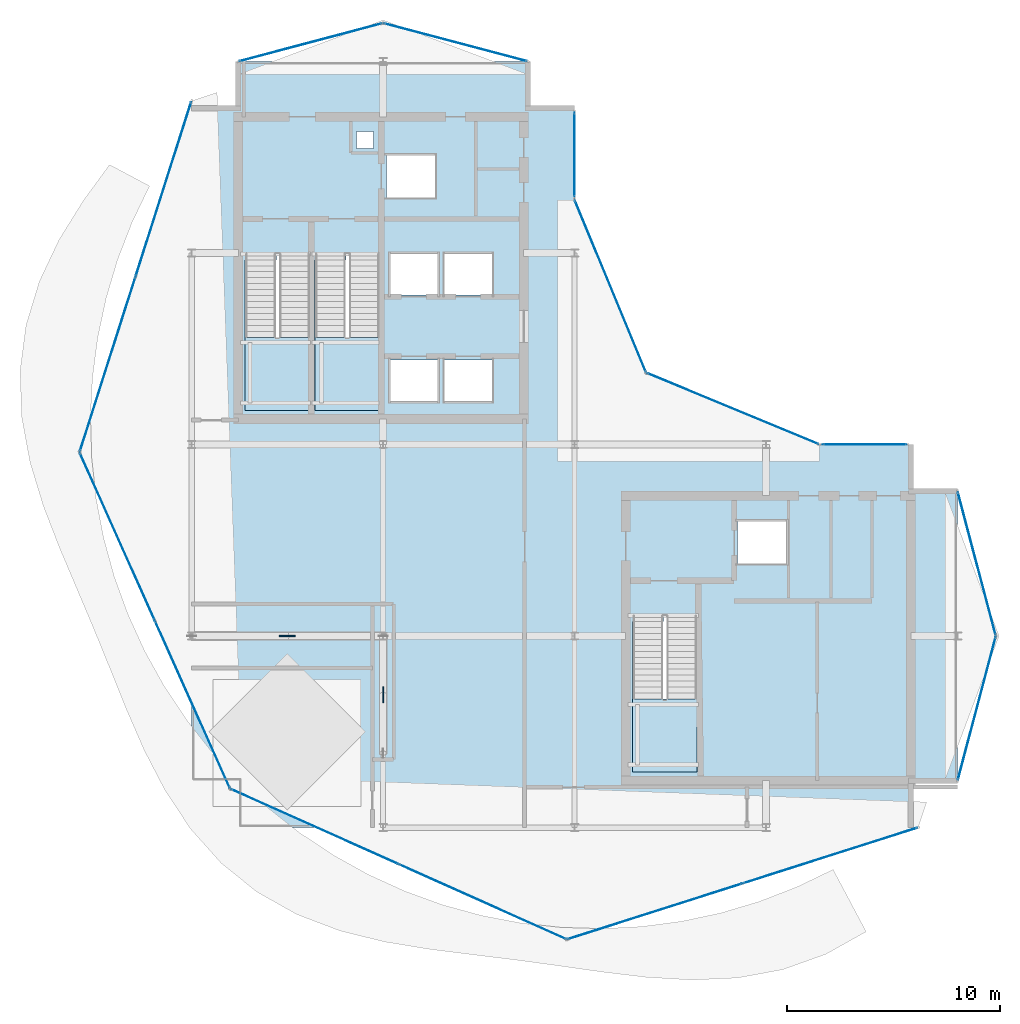
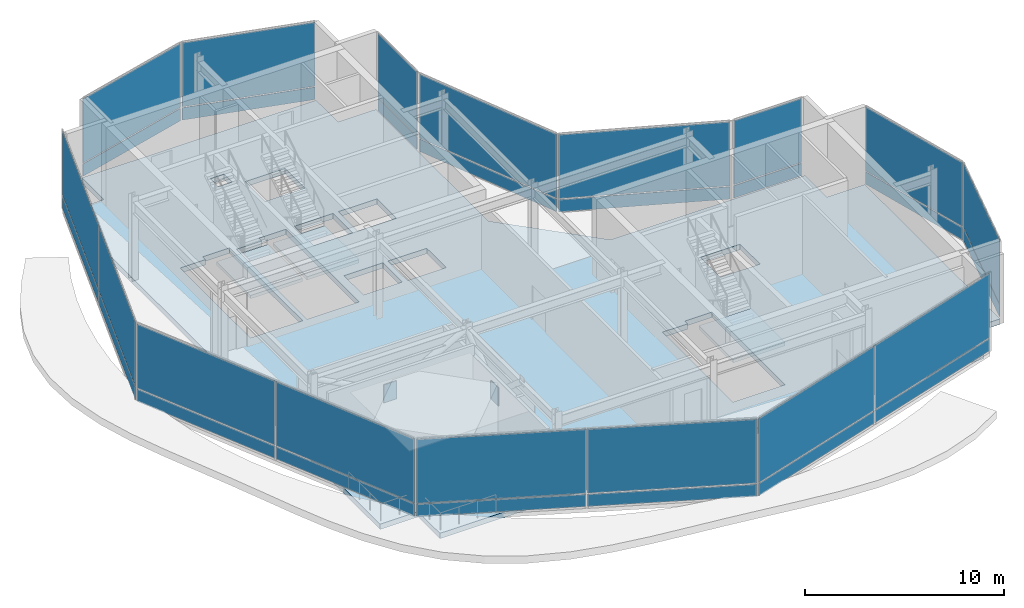
# One storey, part 15 of 21: 34 plates, 4 slabs, 15 elements without a shape of their own.
"""IFC4 building model written with IfcOpenShell, lengths in metres."""

from ifc_helpers import new_model, si_unit, direction, frame, origin, origin_2d, place, context, subcontext, project, spatial, polyline, rectangle, outline, extrude, material, layer, layer_set, type_object, element, aggregate, save


model = new_model("IFC4")

# Units and contexts
model_context = context("Model", 3, precision=1e-05, world=origin(), true_north=direction((0.0, 1.0)))
body_context = subcontext(model_context, "Body", "Model", "MODEL_VIEW")
ifc_project = project(units=[si_unit("LENGTHUNIT", "METRE"), si_unit("AREAUNIT", "SQUARE_METRE"), si_unit("VOLUMEUNIT", "CUBIC_METRE"), si_unit("PLANEANGLEUNIT", "RADIAN"), si_unit("MASSUNIT", "GRAM", prefix="KILO")], contexts=[model_context])

# Site, building, storey
site_placement = place(None, origin())
site = spatial("IfcSite", under=ifc_project, at=site_placement, CompositionType="ELEMENT")
building_placement = place(site_placement, origin())
building = spatial("IfcBuilding", under=site, at=building_placement, Name="Solvaryn Broadcast Tower", CompositionType="ELEMENT")
storey_placement = place(building_placement, frame((0.0, 0.0, 297.39990234375)))
storey = spatial("IfcBuildingStorey", under=building, at=storey_placement, Name="L75", CompositionType="ELEMENT", Elevation=297.39990234375)

# Curtain wall, plates
ifc_material_1 = material(Name="Aluminium and Terracotta Unitised Curtain Wall", Category="masonry")
ifc_layer_1 = layer(ifc_material_1, 0.260009765625)
ifc_layer_set_1 = layer_set([ifc_layer_1], Name="CW-SYS5-DAMPER")
curtain_wall_type = type_object("IfcCurtainWallType", Name="CW-SYS5-DAMPER", PredefinedType="NOTDEFINED", material=ifc_layer_set_1)
curtain_wall_1_placement = place(storey_placement, origin())
curtain_wall_1 = element("IfcCurtainWall", 1, at=curtain_wall_1_placement, inside=storey, type_object=curtain_wall_type, Name="L75 Curtain Wall DR1", PredefinedType="NOTDEFINED")
ifc_material_2 = material(Name="Acoustic Laminated Luminous Clear Glass", Category="glass")
ifc_layer_2 = layer(ifc_material_2, 0.0419921875)
ifc_layer_set_2 = layer_set([ifc_layer_2], Name="CW-PNL-DAMPER")
plate_type_1 = type_object("IfcPlateType", Name="CW-PNL-DAMPER", PredefinedType="CURTAIN_PANEL", material=ifc_layer_set_2)
plate_1_placement = place(storey_placement, frame((7.679931640625, 39.00634765625, 0.06005859375), z_axis=(0.0, 0.0, 1.0), x_axis=(-0.30361564569, -0.952794594701, 0.0)))
plate_1 = element("IfcPlate", 2, at=plate_1_placement, type_object=plate_type_1, Name="CWS5 panel 1.1", PredefinedType="CURTAIN_PANEL", context=body_context, shape_type="SweptSolid", body=[
    extrude(rectangle(XDim=8.575439453125, YDim=0.028076171875, at=origin_2d()), origin(), (0.0, 0.0, 1.0), 0.760009765625),
])
plate_2_placement = place(storey_placement, frame((7.679931640625, 39.00634765625, 0.88037109375), z_axis=(0.0, 0.0, 1.0), x_axis=(-0.30361564569, -0.952794594701, 0.0)))
plate_2 = element("IfcPlate", 3, at=plate_2_placement, type_object=plate_type_1, Name="CWS5 panel 1.2", PredefinedType="CURTAIN_PANEL", context=body_context, shape_type="SweptSolid", body=[
    extrude(rectangle(XDim=8.575439453125, YDim=0.028076171875, at=origin_2d()), origin(), (0.0, 0.0, 1.0), 3.929931640625),
])
plate_3_placement = place(storey_placement, frame((5.05810546875, 30.778564453125, 0.06005859375), z_axis=(0.0, 0.0, 1.0), x_axis=(-0.30361564569, -0.952794594701, 0.0)))
plate_3 = element("IfcPlate", 4, at=plate_3_placement, type_object=plate_type_1, Name="CWS5 panel 2.1", PredefinedType="CURTAIN_PANEL", context=body_context, shape_type="SweptSolid", body=[
    extrude(rectangle(XDim=8.575439453125, YDim=0.028076171875, at=origin_2d()), origin(), (0.0, 0.0, 1.0), 0.760009765625),
])
plate_4_placement = place(storey_placement, frame((5.05810546875, 30.778564453125, 0.88037109375), z_axis=(0.0, 0.0, 1.0), x_axis=(-0.30361564569, -0.952794594701, 0.0)))
plate_4 = element("IfcPlate", 5, at=plate_4_placement, type_object=plate_type_1, Name="CWS5 panel 2.2", PredefinedType="CURTAIN_PANEL", context=body_context, shape_type="SweptSolid", body=[
    extrude(rectangle(XDim=8.575439453125, YDim=0.028076171875, at=origin_2d()), origin(), (0.0, 0.0, 1.0), 3.929931640625),
])
aggregate(curtain_wall_1, [plate_1, plate_2, plate_3, plate_4])

curtain_wall_2_placement = place(storey_placement, origin())
curtain_wall_2 = element("IfcCurtainWall", 6, at=curtain_wall_2_placement, inside=storey, type_object=curtain_wall_type, Name="L75 Curtain Wall DR2", PredefinedType="NOTDEFINED")
plate_5_placement = place(storey_placement, frame((5.513916015625, 22.66748046875, 0.06005859375), z_axis=(0.0, 0.0, 1.0), x_axis=(0.408466010682, -0.912773530574, 0.0)))
plate_5 = element("IfcPlate", 7, at=plate_5_placement, type_object=plate_type_1, Name="CWS5 panel 1.1", PredefinedType="CURTAIN_PANEL", context=body_context, shape_type="SweptSolid", body=[
    extrude(rectangle(XDim=8.575439453125, YDim=0.028076171875, at=origin_2d()), origin(), (0.0, 0.0, 1.0), 0.760009765625),
])
plate_6_placement = place(storey_placement, frame((5.513916015625, 22.66748046875, 0.88037109375), z_axis=(0.0, 0.0, 1.0), x_axis=(0.408466010682, -0.912773530574, 0.0)))
plate_6 = element("IfcPlate", 8, at=plate_6_placement, type_object=plate_type_1, Name="CWS5 panel 1.2", PredefinedType="CURTAIN_PANEL", context=body_context, shape_type="SweptSolid", body=[
    extrude(rectangle(XDim=8.575439453125, YDim=0.028076171875, at=origin_2d()), origin(), (0.0, 0.0, 1.0), 3.929931640625),
])
plate_7_placement = place(storey_placement, frame((9.041015625, 14.785400390625, 0.06005859375), z_axis=(0.0, 0.0, 1.0), x_axis=(0.408466010682, -0.912773530574, 0.0)))
plate_7 = element("IfcPlate", 9, at=plate_7_placement, type_object=plate_type_1, Name="CWS5 panel 2.1", PredefinedType="CURTAIN_PANEL", context=body_context, shape_type="SweptSolid", body=[
    extrude(rectangle(XDim=8.575439453125, YDim=0.028076171875, at=origin_2d()), origin(), (0.0, 0.0, 1.0), 0.760009765625),
])
plate_8_placement = place(storey_placement, frame((9.041015625, 14.785400390625, 0.88037109375), z_axis=(0.0, 0.0, 1.0), x_axis=(0.408466010682, -0.912773530574, 0.0)))
plate_8 = element("IfcPlate", 10, at=plate_8_placement, type_object=plate_type_1, Name="CWS5 panel 2.2", PredefinedType="CURTAIN_PANEL", context=body_context, shape_type="SweptSolid", body=[
    extrude(rectangle(XDim=8.575439453125, YDim=0.028076171875, at=origin_2d()), origin(), (0.0, 0.0, 1.0), 3.929931640625),
])
aggregate(curtain_wall_2, [plate_5, plate_6, plate_7, plate_8])

curtain_wall_3_placement = place(storey_placement, origin())
curtain_wall_3 = element("IfcCurtainWall", 11, at=curtain_wall_3_placement, inside=storey, type_object=curtain_wall_type, Name="L75 Curtain Wall DR3", PredefinedType="NOTDEFINED")
plate_9_placement = place(storey_placement, frame((14.785400390625, 9.041015625, 0.06005859375), z_axis=(0.0, 0.0, 1.0), x_axis=(0.912773530574, -0.408466010682, 0.0)))
plate_9 = element("IfcPlate", 12, at=plate_9_placement, type_object=plate_type_1, Name="CWS5 panel 1.1", PredefinedType="CURTAIN_PANEL", context=body_context, shape_type="SweptSolid", body=[
    extrude(rectangle(XDim=8.575439453125, YDim=0.028076171875, at=origin_2d()), origin(), (0.0, 0.0, 1.0), 0.760009765625),
])
plate_10_placement = place(storey_placement, frame((14.785400390625, 9.041015625, 0.88037109375), z_axis=(0.0, 0.0, 1.0), x_axis=(0.912773530574, -0.408466010682, 0.0)))
plate_10 = element("IfcPlate", 13, at=plate_10_placement, type_object=plate_type_1, Name="CWS5 panel 1.2", PredefinedType="CURTAIN_PANEL", context=body_context, shape_type="SweptSolid", body=[
    extrude(rectangle(XDim=8.575439453125, YDim=0.028076171875, at=origin_2d()), origin(), (0.0, 0.0, 1.0), 3.929931640625),
])
plate_11_placement = place(storey_placement, frame((22.66748046875, 5.513916015625, 0.06005859375), z_axis=(0.0, 0.0, 1.0), x_axis=(0.912773530574, -0.408466010682, 0.0)))
plate_11 = element("IfcPlate", 14, at=plate_11_placement, type_object=plate_type_1, Name="CWS5 panel 2.1", PredefinedType="CURTAIN_PANEL", context=body_context, shape_type="SweptSolid", body=[
    extrude(rectangle(XDim=8.575439453125, YDim=0.028076171875, at=origin_2d()), origin(), (0.0, 0.0, 1.0), 0.760009765625),
])
plate_12_placement = place(storey_placement, frame((22.66748046875, 5.513916015625, 0.88037109375), z_axis=(0.0, 0.0, 1.0), x_axis=(0.912773530574, -0.408466010682, 0.0)))
plate_12 = element("IfcPlate", 15, at=plate_12_placement, type_object=plate_type_1, Name="CWS5 panel 2.2", PredefinedType="CURTAIN_PANEL", context=body_context, shape_type="SweptSolid", body=[
    extrude(rectangle(XDim=8.575439453125, YDim=0.028076171875, at=origin_2d()), origin(), (0.0, 0.0, 1.0), 3.929931640625),
])
aggregate(curtain_wall_3, [plate_9, plate_10, plate_11, plate_12])

curtain_wall_4_placement = place(storey_placement, origin())
curtain_wall_4 = element("IfcCurtainWall", 16, at=curtain_wall_4_placement, inside=storey, type_object=curtain_wall_type, Name="L75 Curtain Wall DR4", PredefinedType="NOTDEFINED")
plate_13_placement = place(storey_placement, frame((30.778564453125, 5.05810546875, 0.06005859375), z_axis=(0.0, 0.0, 1.0), x_axis=(0.952794594701, 0.30361564569, 0.0)))
plate_13 = element("IfcPlate", 17, at=plate_13_placement, type_object=plate_type_1, Name="CWS5 panel 1.1", PredefinedType="CURTAIN_PANEL", context=body_context, shape_type="SweptSolid", body=[
    extrude(rectangle(XDim=8.575439453125, YDim=0.028076171875, at=origin_2d()), origin(), (0.0, 0.0, 1.0), 0.760009765625),
])
plate_14_placement = place(storey_placement, frame((30.778564453125, 5.05810546875, 0.88037109375), z_axis=(0.0, 0.0, 1.0), x_axis=(0.952794594701, 0.30361564569, 0.0)))
plate_14 = element("IfcPlate", 18, at=plate_14_placement, type_object=plate_type_1, Name="CWS5 panel 1.2", PredefinedType="CURTAIN_PANEL", context=body_context, shape_type="SweptSolid", body=[
    extrude(rectangle(XDim=8.575439453125, YDim=0.028076171875, at=origin_2d()), origin(), (0.0, 0.0, 1.0), 3.929931640625),
])
plate_15_placement = place(storey_placement, frame((39.00634765625, 7.679931640625, 0.06005859375), z_axis=(0.0, 0.0, 1.0), x_axis=(0.952794594701, 0.30361564569, 0.0)))
plate_15 = element("IfcPlate", 19, at=plate_15_placement, type_object=plate_type_1, Name="CWS5 panel 2.1", PredefinedType="CURTAIN_PANEL", context=body_context, shape_type="SweptSolid", body=[
    extrude(rectangle(XDim=8.575439453125, YDim=0.028076171875, at=origin_2d()), origin(), (0.0, 0.0, 1.0), 0.760009765625),
])
plate_16_placement = place(storey_placement, frame((39.00634765625, 7.679931640625, 0.88037109375), z_axis=(0.0, 0.0, 1.0), x_axis=(0.952794594701, 0.30361564569, 0.0)))
plate_16 = element("IfcPlate", 20, at=plate_16_placement, type_object=plate_type_1, Name="CWS5 panel 2.2", PredefinedType="CURTAIN_PANEL", context=body_context, shape_type="SweptSolid", body=[
    extrude(rectangle(XDim=8.575439453125, YDim=0.028076171875, at=origin_2d()), origin(), (0.0, 0.0, 1.0), 3.929931640625),
])
aggregate(curtain_wall_4, [plate_13, plate_14, plate_15, plate_16])

curtain_wall_5_placement = place(storey_placement, origin())
curtain_wall_5 = element("IfcCurtainWall", 21, at=curtain_wall_5_placement, inside=storey, type_object=curtain_wall_type, Name="L75 Curtain Wall IV", PredefinedType="NOTDEFINED")
plate_17_placement = place(storey_placement, frame((27.0, 40.625, 0.06005859375), z_axis=(0.0, 0.0, 1.0), x_axis=(0.0, -1.0, 0.0)))
plate_17 = element("IfcPlate", 22, at=plate_17_placement, type_object=plate_type_1, Name="CWS5 panel 1.1", PredefinedType="CURTAIN_PANEL", context=body_context, shape_type="SweptSolid", body=[
    extrude(rectangle(XDim=3.929931640625, YDim=0.028076171875, at=origin_2d()), origin(), (0.0, 0.0, 1.0), 0.760009765625),
])
plate_18_placement = place(storey_placement, frame((27.0, 40.625, 0.88037109375), z_axis=(0.0, 0.0, 1.0), x_axis=(0.0, -1.0, 0.0)))
plate_18 = element("IfcPlate", 23, at=plate_18_placement, type_object=plate_type_1, Name="CWS5 panel 1.2", PredefinedType="CURTAIN_PANEL", context=body_context, shape_type="SweptSolid", body=[
    extrude(rectangle(XDim=3.929931640625, YDim=0.028076171875, at=origin_2d()), origin(), (0.0, 0.0, 1.0), 3.929931640625),
])
aggregate(curtain_wall_5, [plate_17, plate_18])

curtain_wall_6_placement = place(storey_placement, origin())
curtain_wall_6 = element("IfcCurtainWall", 24, at=curtain_wall_6_placement, inside=storey, type_object=curtain_wall_type, Name="L75 Curtain Wall CN1", PredefinedType="NOTDEFINED")
plate_19_placement = place(storey_placement, frame((34.43408203125, 28.68408203125, 0.06005859375), z_axis=(0.0, 0.0, 1.0), x_axis=(-0.923894983957, 0.382646127145, 0.0)))
plate_19 = element("IfcPlate", 25, at=plate_19_placement, type_object=plate_type_1, Name="CWS5 panel 1.1", PredefinedType="CURTAIN_PANEL", context=body_context, shape_type="SweptSolid", body=[
    extrude(rectangle(XDim=8.681884765625, YDim=0.028076171875, at=origin_2d()), origin(), (0.0, 0.0, 1.0), 0.760009765625),
])
plate_20_placement = place(storey_placement, frame((34.43408203125, 28.68408203125, 0.88037109375), z_axis=(0.0, 0.0, 1.0), x_axis=(-0.923894983957, 0.382646127145, 0.0)))
plate_20 = element("IfcPlate", 26, at=plate_20_placement, type_object=plate_type_1, Name="CWS5 panel 1.2", PredefinedType="CURTAIN_PANEL", context=body_context, shape_type="SweptSolid", body=[
    extrude(rectangle(XDim=8.681884765625, YDim=0.028076171875, at=origin_2d()), origin(), (0.0, 0.0, 1.0), 3.929931640625),
])
aggregate(curtain_wall_6, [plate_19, plate_20])

curtain_wall_7_placement = place(storey_placement, origin())
curtain_wall_7 = element("IfcCurtainWall", 27, at=curtain_wall_7_placement, inside=storey, type_object=curtain_wall_type, Name="L75 Curtain Wall CN2", PredefinedType="NOTDEFINED")
plate_21_placement = place(storey_placement, frame((28.68408203125, 34.43408203125, 0.06005859375), z_axis=(0.0, 0.0, 1.0), x_axis=(-0.382646127145, 0.923894983957, 0.0)))
plate_21 = element("IfcPlate", 28, at=plate_21_placement, type_object=plate_type_1, Name="CWS5 panel 1.1", PredefinedType="CURTAIN_PANEL", context=body_context, shape_type="SweptSolid", body=[
    extrude(rectangle(XDim=8.681884765625, YDim=0.028076171875, at=origin_2d()), origin(), (0.0, 0.0, 1.0), 0.760009765625),
])
plate_22_placement = place(storey_placement, frame((28.68408203125, 34.43408203125, 0.88037109375), z_axis=(0.0, 0.0, 1.0), x_axis=(-0.382646127145, 0.923894983957, 0.0)))
plate_22 = element("IfcPlate", 29, at=plate_22_placement, type_object=plate_type_1, Name="CWS5 panel 1.2", PredefinedType="CURTAIN_PANEL", context=body_context, shape_type="SweptSolid", body=[
    extrude(rectangle(XDim=8.681884765625, YDim=0.028076171875, at=origin_2d()), origin(), (0.0, 0.0, 1.0), 3.929931640625),
])
aggregate(curtain_wall_7, [plate_21, plate_22])

curtain_wall_8_placement = place(storey_placement, origin())
curtain_wall_8 = element("IfcCurtainWall", 30, at=curtain_wall_8_placement, inside=storey, type_object=curtain_wall_type, Name="L75 Curtain Wall NT1", PredefinedType="NOTDEFINED")
plate_23_placement = place(storey_placement, frame((21.39990234375, 45.89990234375, 0.06005859375), z_axis=(0.0, 0.0, 1.0), x_axis=(-0.966705227863, 0.25589256031, 0.0)))
plate_23 = element("IfcPlate", 31, at=plate_23_placement, type_object=plate_type_1, Name="CWS5 panel 1.1", PredefinedType="CURTAIN_PANEL", context=body_context, shape_type="SweptSolid", body=[
    extrude(rectangle(XDim=6.914306640625, YDim=0.028076171875, at=origin_2d()), origin(), (0.0, 0.0, 1.0), 0.760009765625),
])
plate_24_placement = place(storey_placement, frame((21.39990234375, 45.89990234375, 0.88037109375), z_axis=(0.0, 0.0, 1.0), x_axis=(-0.966705227863, 0.25589256031, 0.0)))
plate_24 = element("IfcPlate", 32, at=plate_24_placement, type_object=plate_type_1, Name="CWS5 panel 1.2", PredefinedType="CURTAIN_PANEL", context=body_context, shape_type="SweptSolid", body=[
    extrude(rectangle(XDim=6.914306640625, YDim=0.028076171875, at=origin_2d()), origin(), (0.0, 0.0, 1.0), 3.929931640625),
])
aggregate(curtain_wall_8, [plate_23, plate_24])

curtain_wall_9_placement = place(storey_placement, origin())
curtain_wall_9 = element("IfcCurtainWall", 33, at=curtain_wall_9_placement, inside=storey, type_object=curtain_wall_type, Name="L75 Curtain Wall NT2", PredefinedType="NOTDEFINED")
plate_25_placement = place(storey_placement, frame((14.60009765625, 45.89990234375, 0.06005859375), z_axis=(0.0, 0.0, 1.0), x_axis=(-0.966705227863, -0.25589256031, 0.0)))
plate_25 = element("IfcPlate", 34, at=plate_25_placement, type_object=plate_type_1, Name="CWS5 panel 1.1", PredefinedType="CURTAIN_PANEL", context=body_context, shape_type="SweptSolid", body=[
    extrude(rectangle(XDim=6.914306640625, YDim=0.028076171875, at=origin_2d()), origin(), (0.0, 0.0, 1.0), 0.760009765625),
])
plate_26_placement = place(storey_placement, frame((14.60009765625, 45.89990234375, 0.88037109375), z_axis=(0.0, 0.0, 1.0), x_axis=(-0.966705227863, -0.25589256031, 0.0)))
plate_26 = element("IfcPlate", 35, at=plate_26_placement, type_object=plate_type_1, Name="CWS5 panel 1.2", PredefinedType="CURTAIN_PANEL", context=body_context, shape_type="SweptSolid", body=[
    extrude(rectangle(XDim=6.914306640625, YDim=0.028076171875, at=origin_2d()), origin(), (0.0, 0.0, 1.0), 3.929931640625),
])
aggregate(curtain_wall_9, [plate_25, plate_26])

curtain_wall_10_placement = place(storey_placement, origin())
curtain_wall_10 = element("IfcCurtainWall", 36, at=curtain_wall_10_placement, inside=storey, type_object=curtain_wall_type, Name="L75 Curtain Wall ET1", PredefinedType="NOTDEFINED")
plate_27_placement = place(storey_placement, frame((45.89990234375, 21.39990234375, 0.06005859375), z_axis=(0.0, 0.0, 1.0), x_axis=(0.25589256031, -0.966705227863, 0.0)))
plate_27 = element("IfcPlate", 37, at=plate_27_placement, type_object=plate_type_1, Name="CWS5 panel 1.1", PredefinedType="CURTAIN_PANEL", context=body_context, shape_type="SweptSolid", body=[
    extrude(rectangle(XDim=6.914306640625, YDim=0.028076171875, at=origin_2d()), origin(), (0.0, 0.0, 1.0), 0.760009765625),
])
plate_28_placement = place(storey_placement, frame((45.89990234375, 21.39990234375, 0.88037109375), z_axis=(0.0, 0.0, 1.0), x_axis=(0.25589256031, -0.966705227863, 0.0)))
plate_28 = element("IfcPlate", 38, at=plate_28_placement, type_object=plate_type_1, Name="CWS5 panel 1.2", PredefinedType="CURTAIN_PANEL", context=body_context, shape_type="SweptSolid", body=[
    extrude(rectangle(XDim=6.914306640625, YDim=0.028076171875, at=origin_2d()), origin(), (0.0, 0.0, 1.0), 3.929931640625),
])
aggregate(curtain_wall_10, [plate_27, plate_28])

curtain_wall_11_placement = place(storey_placement, origin())
curtain_wall_11 = element("IfcCurtainWall", 39, at=curtain_wall_11_placement, inside=storey, type_object=curtain_wall_type, Name="L75 Curtain Wall ET2", PredefinedType="NOTDEFINED")
plate_29_placement = place(storey_placement, frame((45.89990234375, 14.60009765625, 0.06005859375), z_axis=(0.0, 0.0, 1.0), x_axis=(-0.25589256031, -0.966705227863, 0.0)))
plate_29 = element("IfcPlate", 40, at=plate_29_placement, type_object=plate_type_1, Name="CWS5 panel 1.1", PredefinedType="CURTAIN_PANEL", context=body_context, shape_type="SweptSolid", body=[
    extrude(rectangle(XDim=6.914306640625, YDim=0.028076171875, at=origin_2d()), origin(), (0.0, 0.0, 1.0), 0.760009765625),
])
plate_30_placement = place(storey_placement, frame((45.89990234375, 14.60009765625, 0.88037109375), z_axis=(0.0, 0.0, 1.0), x_axis=(-0.25589256031, -0.966705227863, 0.0)))
plate_30 = element("IfcPlate", 41, at=plate_30_placement, type_object=plate_type_1, Name="CWS5 panel 1.2", PredefinedType="CURTAIN_PANEL", context=body_context, shape_type="SweptSolid", body=[
    extrude(rectangle(XDim=6.914306640625, YDim=0.028076171875, at=origin_2d()), origin(), (0.0, 0.0, 1.0), 3.929931640625),
])
aggregate(curtain_wall_11, [plate_29, plate_30])

curtain_wall_12_placement = place(storey_placement, origin())
curtain_wall_12 = element("IfcCurtainWall", 42, at=curtain_wall_12_placement, inside=storey, type_object=curtain_wall_type, Name="L75 Curtain Wall IH", PredefinedType="NOTDEFINED")
plate_31_placement = place(storey_placement, frame((40.625, 27.0, 0.06005859375), z_axis=(0.0, 0.0, 1.0), x_axis=(1.0, 0.0, 0.0)))
plate_31 = element("IfcPlate", 43, at=plate_31_placement, type_object=plate_type_1, Name="CWS5 panel 1.1", PredefinedType="CURTAIN_PANEL", context=body_context, shape_type="SweptSolid", body=[
    extrude(rectangle(XDim=3.929931640625, YDim=0.028076171875, at=origin_2d()), origin(), (0.0, 0.0, 1.0), 0.760009765625),
])
plate_32_placement = place(storey_placement, frame((40.625, 27.0, 0.88037109375), z_axis=(0.0, 0.0, 1.0), x_axis=(1.0, 0.0, 0.0)))
plate_32 = element("IfcPlate", 44, at=plate_32_placement, type_object=plate_type_1, Name="CWS5 panel 1.2", PredefinedType="CURTAIN_PANEL", context=body_context, shape_type="SweptSolid", body=[
    extrude(rectangle(XDim=3.929931640625, YDim=0.028076171875, at=origin_2d()), origin(), (0.0, 0.0, 1.0), 3.929931640625),
])
aggregate(curtain_wall_12, [plate_31, plate_32])

# Plates
ifc_material_3 = material(Name="Steel ASTM A572 Grade 50", Category="steel")
ifc_layer_3 = layer(ifc_material_3, 0.050048828125)
ifc_layer_set_3 = layer_set([ifc_layer_3], Name="PL-GUSSET-50")
plate_type_2 = type_object("IfcPlateType", Name="PL-GUSSET-50", PredefinedType="SHEET", material=ifc_layer_set_3)
plate_33_placement = place(storey_placement, frame((13.5, 18.0, 1.885009765625), z_axis=(0.0, 0.0, 1.0), x_axis=(1.0, 0.0, 0.0)))
element("IfcPlate", 45, at=plate_33_placement, inside=storey, type_object=plate_type_2, Name="L75 TMD Reaction X-Frame EW X-Crossing Gusset Node Plate", PredefinedType="SHEET", context=body_context, shape_type="SweptSolid", body=[
    extrude(rectangle(XDim=0.75, YDim=0.050048828125, at=origin_2d()), origin(), (0.0, 0.0, 1.0), 1.10009765625),
])
plate_34_placement = place(storey_placement, frame((18.0, 15.25, 1.885009765625), z_axis=(0.0, 0.0, 1.0), x_axis=(1.0, 0.0, 0.0)))
element("IfcPlate", 46, at=plate_34_placement, inside=storey, type_object=plate_type_2, Name="L75 TMD Reaction X-Frame NS X-Crossing Gusset Node Plate", PredefinedType="SHEET", context=body_context, shape_type="SweptSolid", body=[
    extrude(rectangle(XDim=0.050048828125, YDim=0.75, at=origin_2d()), origin(), (0.0, 0.0, 1.0), 1.10009765625),
])

# Stair, slab
ifc_material_4 = material(Name="Concrete f'c 60 MPa", Category="concrete")
stair_type = type_object("IfcStairType", Name="ST-CORE", PredefinedType="HALF_TURN_STAIR", material=ifc_material_4)
stair_1_placement = place(storey_placement, origin())
stair_1 = element("IfcStair", 47, at=stair_1_placement, inside=storey, type_object=stair_type, Name="L75 ST1", PredefinedType="HALF_TURN_STAIR")
ifc_material_5 = material(Name="Concrete f'c 60 MPa", Category="concrete")
ifc_layer_4 = layer(ifc_material_5, 0.199951171875)
ifc_layer_set_4 = layer_set([ifc_layer_4], Name="SL-LANDING-200")
slab_type_1 = type_object("IfcSlabType", Name="SL-LANDING-200", PredefinedType="LANDING", material=ifc_layer_set_4)
slab_1_placement = place(storey_placement, frame((0.0, 0.0, 2.400146484375)))
slab_1 = element("IfcSlab", 48, at=slab_1_placement, type_object=slab_type_1, Name="ST1 landing 1", PredefinedType="LANDING", context=body_context, shape_type="SweptSolid", body=[
    extrude(outline(polyline([(11.52001953125, 32.0400390625), (11.52001953125, 28.60009765625), (14.550048828125, 28.60009765625), (14.550048828125, 32.0400390625), (11.52001953125, 32.0400390625)])), origin(), (0.0, 0.0, 1.0), 0.199951171875),
])
aggregate(stair_1, [slab_1])

stair_2_placement = place(storey_placement, origin())
stair_2 = element("IfcStair", 49, at=stair_2_placement, inside=storey, type_object=stair_type, Name="L75 ST2", PredefinedType="HALF_TURN_STAIR")
slab_2_placement = place(storey_placement, frame((0.0, 0.0, 2.400146484375)))
slab_2 = element("IfcSlab", 50, at=slab_2_placement, type_object=slab_type_1, Name="ST2 landing 1", PredefinedType="LANDING", context=body_context, shape_type="SweptSolid", body=[
    extrude(outline(polyline([(14.800048828125, 32.0400390625), (14.800048828125, 28.60009765625), (17.830078125, 28.60009765625), (17.830078125, 32.0400390625), (14.800048828125, 32.0400390625)])), origin(), (0.0, 0.0, 1.0), 0.199951171875),
])
aggregate(stair_2, [slab_2])

stair_3_placement = place(storey_placement, origin())
stair_3 = element("IfcStair", 51, at=stair_3_placement, inside=storey, type_object=stair_type, Name="L75 ST3", PredefinedType="HALF_TURN_STAIR")
slab_3_placement = place(storey_placement, frame((0.0, 0.0, 2.400146484375)))
slab_3 = element("IfcSlab", 52, at=slab_3_placement, type_object=slab_type_1, Name="ST3 landing 1", PredefinedType="LANDING", context=body_context, shape_type="SweptSolid", body=[
    extrude(outline(polyline([(29.719970703125, 15.0400390625), (29.719970703125, 11.60009765625), (32.75, 11.60009765625), (32.75, 15.0400390625), (29.719970703125, 15.0400390625)])), origin(), (0.0, 0.0, 1.0), 0.199951171875),
])
aggregate(stair_3, [slab_3])

# Slab
ifc_material_6 = material(Name="Concrete f'c 60 MPa", Category="concrete")
ifc_layer_5 = layer(ifc_material_6, 0.330078125)
ifc_layer_set_5 = layer_set([ifc_layer_5], Name="SL-PLT-330")
slab_type_2 = type_object("IfcSlabType", Name="SL-PLT-330", PredefinedType="FLOOR", material=ifc_layer_set_5)
slab_4_placement = place(storey_placement, frame((0.0, 0.0, -0.329833984375)))
element("IfcSlab", 53, at=slab_4_placement, inside=storey, type_object=slab_type_2, Name="L75 Structural Floor Slab", PredefinedType="FLOOR", context=body_context, shape_type="SweptSolid", body=[
    extrude(outline(polyline([(11.199951171875, 9.0), (42.800048828125, 9.0), (42.800048828125, 11.199951171875), (45.0, 11.199951171875), (45.0, 24.800048828125), (42.800048828125, 24.800048828125), (42.800048828125, 27.0), (31.5, 27.0), (27.0, 31.5), (27.0, 42.800048828125), (24.800048828125, 42.800048828125), (24.800048828125, 45.0), (11.199951171875, 45.0), (11.199951171875, 42.800048828125), (9.0, 42.800048828125), (9.0, 11.199951171875), (11.199951171875, 11.199951171875), (11.199951171875, 9.0)]), holes=[polyline([(11.52001953125, 28.60009765625), (14.550048828125, 28.60009765625), (14.550048828125, 35.9599609375), (12.97998046875, 35.9599609375), (12.97998046875, 35.679931640625), (11.52001953125, 35.679931640625), (11.52001953125, 28.60009765625)]), polyline([(14.800048828125, 28.60009765625), (17.830078125, 28.60009765625), (17.830078125, 35.9599609375), (16.260009765625, 35.9599609375), (16.260009765625, 35.679931640625), (14.800048828125, 35.679931640625), (14.800048828125, 28.60009765625)]), polyline([(29.719970703125, 11.60009765625), (32.75, 11.60009765625), (32.75, 18.9599609375), (31.179931640625, 18.9599609375), (31.179931640625, 18.679931640625), (29.719970703125, 18.679931640625), (29.719970703125, 11.60009765625)]), polyline([(18.14990234375, 38.60009765625), (20.449951171875, 38.60009765625), (20.449951171875, 40.60009765625), (18.14990234375, 40.60009765625), (18.14990234375, 38.60009765625)]), polyline([(18.324951171875, 29.02490234375), (20.574951171875, 29.02490234375), (20.574951171875, 30.97509765625), (18.324951171875, 30.97509765625), (18.324951171875, 29.02490234375)]), polyline([(20.875, 29.02490234375), (23.125, 29.02490234375), (23.125, 30.97509765625), (20.875, 30.97509765625), (20.875, 29.02490234375)]), polyline([(18.324951171875, 34.02490234375), (20.574951171875, 34.02490234375), (20.574951171875, 35.97509765625), (18.324951171875, 35.97509765625), (18.324951171875, 34.02490234375)]), polyline([(20.875, 34.02490234375), (23.125, 34.02490234375), (23.125, 35.97509765625), (20.875, 35.97509765625), (20.875, 34.02490234375)]), polyline([(34.64990234375, 21.39990234375), (36.949951171875, 21.39990234375), (36.949951171875, 23.39990234375), (34.64990234375, 23.39990234375), (34.64990234375, 21.39990234375)]), polyline([(16.75, 40.89990234375), (17.550048828125, 40.89990234375), (17.550048828125, 41.699951171875), (16.75, 41.699951171875), (16.75, 40.89990234375)])]), origin(), (0.0, 0.0, 1.0), 0.329833984375),
])

save(model, "model.ifc")
